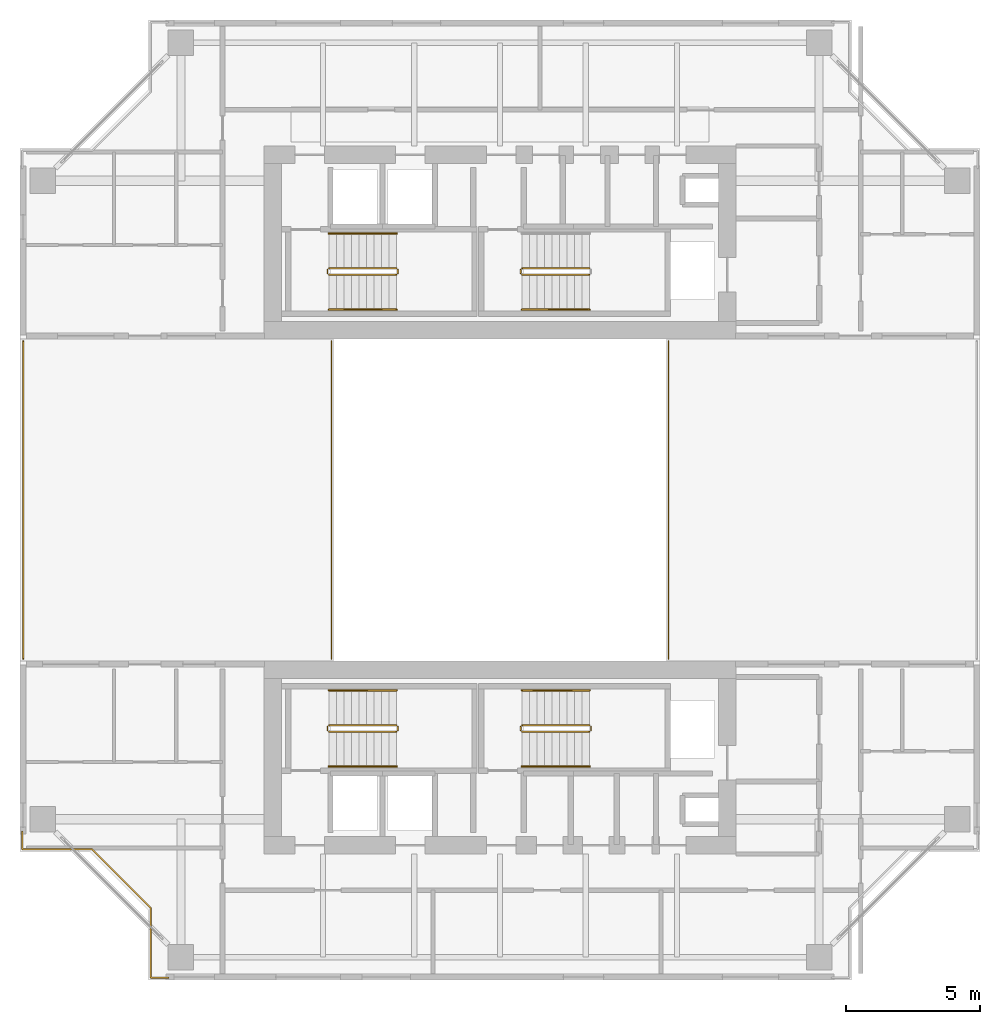
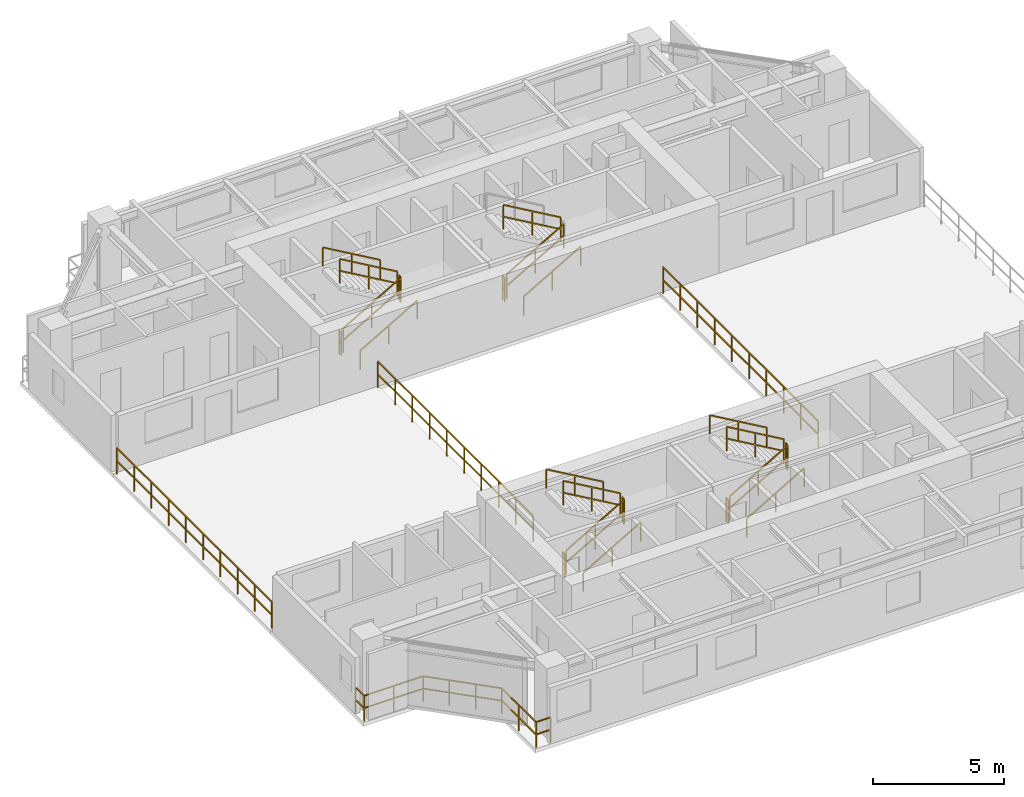
# One storey, part 12 of 14: 26 railings.
"""IFC4 building model written with IfcOpenShell, lengths in metres."""

from ifc_helpers import new_model, si_unit, direction, frame, origin, origin_2d, place, context, subcontext, project, spatial, rectangle, extrude, material, type_object, element, save


model = new_model("IFC4")

# Units and contexts
model_context = context("Model", 3, precision=1e-05, world=origin(), true_north=direction((0.0, 1.0)))
body_context = subcontext(model_context, "Body", "Model", "MODEL_VIEW")
ifc_project = project(units=[si_unit("LENGTHUNIT", "METRE"), si_unit("AREAUNIT", "SQUARE_METRE"), si_unit("VOLUMEUNIT", "CUBIC_METRE"), si_unit("PLANEANGLEUNIT", "RADIAN"), si_unit("MASSUNIT", "GRAM", prefix="KILO"), si_unit("THERMODYNAMICTEMPERATUREUNIT", "KELVIN"), si_unit("POWERUNIT", "WATT")], contexts=[model_context])

# Site, building, storey
site_placement = place(None, origin())
site = spatial("IfcSite", under=ifc_project, at=site_placement, CompositionType="ELEMENT")
building_placement = place(site_placement, origin())
building = spatial("IfcBuilding", under=site, at=building_placement, Name="Qiaomeng Ring Towers", CompositionType="ELEMENT")
storey_placement = place(building_placement, frame((0.0, 0.0, 153.5)))
storey = spatial("IfcBuildingStorey", under=building, at=storey_placement, Name="L44", CompositionType="ELEMENT", Elevation=153.5)

# Railings
ifc_material_1 = material(Name="Low-E pale-green laminated safety glass", Category="glass")
railing_type_1 = type_object("IfcRailingType", Name="ARC-RL-BAL1", PredefinedType="BALUSTRADE", material=ifc_material_1)
railing_1_placement = place(storey_placement, frame((1.179931640625, 10.6298828125, 0.0)))
element("IfcRailing", 1, at=railing_1_placement, inside=storey, type_object=railing_type_1, Name="L44 Balustrade ARC-BAL-NOTCH1-L44-SW", PredefinedType="BALUSTRADE", context=body_context, shape_type="SweptSolid", body=[
    extrude(rectangle(XDim=0.048095703125, YDim=0.048095703125, at=origin_2d()), frame((0.0, 0.0, 1.17578125), z_axis=(0.0, -1.0, 0.0), x_axis=(1.0, 0.0, 0.0)), (0.0, 0.0, 1.0), 0.64990234375),
    extrude(rectangle(XDim=0.048095703125, YDim=0.048095703125, at=origin_2d()), frame((0.0, 0.0, 0.60009765625), z_axis=(0.0, -1.0, 0.0), x_axis=(1.0, 0.0, 0.0)), (0.0, 0.0, 1.0), 0.64990234375),
    extrude(rectangle(XDim=0.048095703125, YDim=0.048095703125, at=origin_2d()), frame((0.0, -0.64990234375, 1.17578125), z_axis=(1.0, 0.0, 0.0), x_axis=(0.0, 1.0, 0.0)), (0.0, 0.0, 1.0), 2.60009765625),
    extrude(rectangle(XDim=0.048095703125, YDim=0.048095703125, at=origin_2d()), frame((0.0, -0.64990234375, 0.60009765625), z_axis=(1.0, 0.0, 0.0), x_axis=(0.0, 1.0, 0.0)), (0.0, 0.0, 1.0), 2.60009765625),
    extrude(rectangle(XDim=0.048095703125, YDim=0.048095703125, at=origin_2d()), frame((2.60009765625, -0.64990234375, 1.17578125), z_axis=(0.707106781187, -0.707106781187, 0.0), x_axis=(0.707106781187, 0.707106781187, 0.0)), (0.0, 0.0, 1.0), 3.111083984375),
    extrude(rectangle(XDim=0.048095703125, YDim=0.048095703125, at=origin_2d()), frame((2.60009765625, -0.64990234375, 0.60009765625), z_axis=(0.707106781187, -0.707106781187, 0.0), x_axis=(0.707106781187, 0.707106781187, 0.0)), (0.0, 0.0, 1.0), 3.111083984375),
    extrude(rectangle(XDim=0.048095703125, YDim=0.048095703125, at=origin_2d()), frame((4.800048828125, -2.849853515625, 1.17578125), z_axis=(0.0, -1.0, 0.0), x_axis=(1.0, 0.0, 0.0)), (0.0, 0.0, 1.0), 2.60009765625),
    extrude(rectangle(XDim=0.048095703125, YDim=0.048095703125, at=origin_2d()), frame((4.800048828125, -2.849853515625, 0.60009765625), z_axis=(0.0, -1.0, 0.0), x_axis=(1.0, 0.0, 0.0)), (0.0, 0.0, 1.0), 2.60009765625),
    extrude(rectangle(XDim=0.048095703125, YDim=0.048095703125, at=origin_2d()), frame((4.800048828125, -5.449951171875, 1.17578125), z_axis=(1.0, 0.0, 0.0), x_axis=(0.0, 1.0, 0.0)), (0.0, 0.0, 1.0), 0.64990234375),
    extrude(rectangle(XDim=0.048095703125, YDim=0.048095703125, at=origin_2d()), frame((4.800048828125, -5.449951171875, 0.60009765625), z_axis=(1.0, 0.0, 0.0), x_axis=(0.0, 1.0, 0.0)), (0.0, 0.0, 1.0), 0.64990234375),
    extrude(rectangle(XDim=0.0419921875, YDim=0.0419921875, at=origin_2d()), origin(), (0.0, 0.0, 1.0), 1.15185546875),
    extrude(rectangle(XDim=0.0419921875, YDim=0.0419921875, at=origin_2d()), frame((0.0, -0.64990234375, 0.0)), (0.0, 0.0, 1.0), 1.15185546875),
    extrude(rectangle(XDim=0.0419921875, YDim=0.0419921875, at=origin_2d()), frame((1.300048828125, -0.64990234375, 0.0)), (0.0, 0.0, 1.0), 1.15185546875),
    extrude(rectangle(XDim=0.0419921875, YDim=0.0419921875, at=origin_2d()), frame((2.60009765625, -0.64990234375, 0.0)), (0.0, 0.0, 1.0), 1.15185546875),
    extrude(rectangle(XDim=0.0419921875, YDim=0.0419921875, at=origin_2d()), frame((3.33349609375, -1.38330078125, 0.0)), (0.0, 0.0, 1.0), 1.15185546875),
    extrude(rectangle(XDim=0.0419921875, YDim=0.0419921875, at=origin_2d()), frame((4.066650390625, -2.116455078125, 0.0)), (0.0, 0.0, 1.0), 1.15185546875),
    extrude(rectangle(XDim=0.0419921875, YDim=0.0419921875, at=origin_2d()), frame((4.800048828125, -2.849853515625, 0.0)), (0.0, 0.0, 1.0), 1.15185546875),
    extrude(rectangle(XDim=0.0419921875, YDim=0.0419921875, at=origin_2d()), frame((4.800048828125, -4.14990234375, 0.0)), (0.0, 0.0, 1.0), 1.15185546875),
    extrude(rectangle(XDim=0.0419921875, YDim=0.0419921875, at=origin_2d()), frame((4.800048828125, -5.449951171875, 0.0)), (0.0, 0.0, 1.0), 1.15185546875),
    extrude(rectangle(XDim=0.0419921875, YDim=0.0419921875, at=origin_2d()), frame((5.449951171875, -5.449951171875, 0.0)), (0.0, 0.0, 1.0), 1.15185546875),
])
ifc_material_2 = material(Name="Stainless steel 316", Category="steel")
railing_type_2 = type_object("IfcRailingType", Name="ARC-RL-BAL2", PredefinedType="BALUSTRADE", material=ifc_material_2)
railing_2_placement = place(storey_placement, frame((1.219970703125, 17.080078125, 0.0)))
element("IfcRailing", 2, at=railing_2_placement, inside=storey, type_object=railing_type_2, Name="L44 Balustrade ARC-BAL-L44-PORTAL-W-OUT", PredefinedType="BALUSTRADE", context=body_context, shape_type="SweptSolid", body=[
    extrude(rectangle(XDim=0.048095703125, YDim=0.048095703125, at=origin_2d()), frame((0.0, 0.0, 1.22607421875), z_axis=(0.0, 1.0, 0.0), x_axis=(-1.0, 0.0, 0.0)), (0.0, 0.0, 1.0), 11.83984375),
    extrude(rectangle(XDim=0.048095703125, YDim=0.048095703125, at=origin_2d()), frame((0.0, 0.0, 0.625), z_axis=(0.0, 1.0, 0.0), x_axis=(-1.0, 0.0, 0.0)), (0.0, 0.0, 1.0), 11.83984375),
    extrude(rectangle(XDim=0.0419921875, YDim=0.0419921875, at=origin_2d()), origin(), (0.0, 0.0, 1.0), 1.201904296875),
    extrude(rectangle(XDim=0.0419921875, YDim=0.0419921875, at=origin_2d()), frame((0.0, 1.3154296875, 0.0)), (0.0, 0.0, 1.0), 1.201904296875),
    extrude(rectangle(XDim=0.0419921875, YDim=0.0419921875, at=origin_2d()), frame((0.0, 2.631103515625, 0.0)), (0.0, 0.0, 1.0), 1.201904296875),
    extrude(rectangle(XDim=0.0419921875, YDim=0.0419921875, at=origin_2d()), frame((0.0, 3.946533203125, 0.0)), (0.0, 0.0, 1.0), 1.201904296875),
    extrude(rectangle(XDim=0.0419921875, YDim=0.0419921875, at=origin_2d()), frame((0.0, 5.26220703125, 0.0)), (0.0, 0.0, 1.0), 1.201904296875),
    extrude(rectangle(XDim=0.0419921875, YDim=0.0419921875, at=origin_2d()), frame((0.0, 6.57763671875, 0.0)), (0.0, 0.0, 1.0), 1.201904296875),
    extrude(rectangle(XDim=0.0419921875, YDim=0.0419921875, at=origin_2d()), frame((0.0, 7.893310546875, 0.0)), (0.0, 0.0, 1.0), 1.201904296875),
    extrude(rectangle(XDim=0.0419921875, YDim=0.0419921875, at=origin_2d()), frame((0.0, 9.208740234375, 0.0)), (0.0, 0.0, 1.0), 1.201904296875),
    extrude(rectangle(XDim=0.0419921875, YDim=0.0419921875, at=origin_2d()), frame((0.0, 10.5244140625, 0.0)), (0.0, 0.0, 1.0), 1.201904296875),
    extrude(rectangle(XDim=0.0419921875, YDim=0.0419921875, at=origin_2d()), frame((0.0, 11.83984375, 0.0)), (0.0, 0.0, 1.0), 1.201904296875),
])
railing_3_placement = place(storey_placement, frame((12.719970703125, 17.080078125, 0.0)))
element("IfcRailing", 3, at=railing_3_placement, inside=storey, type_object=railing_type_2, Name="L44 Balustrade ARC-BAL-L44-PORTAL-W-IN", PredefinedType="BALUSTRADE", context=body_context, shape_type="SweptSolid", body=[
    extrude(rectangle(XDim=0.048095703125, YDim=0.048095703125, at=origin_2d()), frame((0.0, 0.0, 1.22607421875), z_axis=(0.0, 1.0, 0.0), x_axis=(-1.0, 0.0, 0.0)), (0.0, 0.0, 1.0), 11.83984375),
    extrude(rectangle(XDim=0.048095703125, YDim=0.048095703125, at=origin_2d()), frame((0.0, 0.0, 0.625), z_axis=(0.0, 1.0, 0.0), x_axis=(-1.0, 0.0, 0.0)), (0.0, 0.0, 1.0), 11.83984375),
    extrude(rectangle(XDim=0.0419921875, YDim=0.0419921875, at=origin_2d()), origin(), (0.0, 0.0, 1.0), 1.201904296875),
    extrude(rectangle(XDim=0.0419921875, YDim=0.0419921875, at=origin_2d()), frame((0.0, 1.3154296875, 0.0)), (0.0, 0.0, 1.0), 1.201904296875),
    extrude(rectangle(XDim=0.0419921875, YDim=0.0419921875, at=origin_2d()), frame((0.0, 2.631103515625, 0.0)), (0.0, 0.0, 1.0), 1.201904296875),
    extrude(rectangle(XDim=0.0419921875, YDim=0.0419921875, at=origin_2d()), frame((0.0, 3.946533203125, 0.0)), (0.0, 0.0, 1.0), 1.201904296875),
    extrude(rectangle(XDim=0.0419921875, YDim=0.0419921875, at=origin_2d()), frame((0.0, 5.26220703125, 0.0)), (0.0, 0.0, 1.0), 1.201904296875),
    extrude(rectangle(XDim=0.0419921875, YDim=0.0419921875, at=origin_2d()), frame((0.0, 6.57763671875, 0.0)), (0.0, 0.0, 1.0), 1.201904296875),
    extrude(rectangle(XDim=0.0419921875, YDim=0.0419921875, at=origin_2d()), frame((0.0, 7.893310546875, 0.0)), (0.0, 0.0, 1.0), 1.201904296875),
    extrude(rectangle(XDim=0.0419921875, YDim=0.0419921875, at=origin_2d()), frame((0.0, 9.208740234375, 0.0)), (0.0, 0.0, 1.0), 1.201904296875),
    extrude(rectangle(XDim=0.0419921875, YDim=0.0419921875, at=origin_2d()), frame((0.0, 10.5244140625, 0.0)), (0.0, 0.0, 1.0), 1.201904296875),
    extrude(rectangle(XDim=0.0419921875, YDim=0.0419921875, at=origin_2d()), frame((0.0, 11.83984375, 0.0)), (0.0, 0.0, 1.0), 1.201904296875),
])
railing_4_placement = place(storey_placement, frame((25.280029296875, 17.080078125, 0.0)))
element("IfcRailing", 4, at=railing_4_placement, inside=storey, type_object=railing_type_2, Name="L44 Balustrade ARC-BAL-L44-PORTAL-E-IN", PredefinedType="BALUSTRADE", context=body_context, shape_type="SweptSolid", body=[
    extrude(rectangle(XDim=0.048095703125, YDim=0.048095703125, at=origin_2d()), frame((0.0, 0.0, 1.22607421875), z_axis=(0.0, 1.0, 0.0), x_axis=(-1.0, 0.0, 0.0)), (0.0, 0.0, 1.0), 11.83984375),
    extrude(rectangle(XDim=0.048095703125, YDim=0.048095703125, at=origin_2d()), frame((0.0, 0.0, 0.625), z_axis=(0.0, 1.0, 0.0), x_axis=(-1.0, 0.0, 0.0)), (0.0, 0.0, 1.0), 11.83984375),
    extrude(rectangle(XDim=0.0419921875, YDim=0.0419921875, at=origin_2d()), origin(), (0.0, 0.0, 1.0), 1.201904296875),
    extrude(rectangle(XDim=0.0419921875, YDim=0.0419921875, at=origin_2d()), frame((0.0, 1.3154296875, 0.0)), (0.0, 0.0, 1.0), 1.201904296875),
    extrude(rectangle(XDim=0.0419921875, YDim=0.0419921875, at=origin_2d()), frame((0.0, 2.631103515625, 0.0)), (0.0, 0.0, 1.0), 1.201904296875),
    extrude(rectangle(XDim=0.0419921875, YDim=0.0419921875, at=origin_2d()), frame((0.0, 3.946533203125, 0.0)), (0.0, 0.0, 1.0), 1.201904296875),
    extrude(rectangle(XDim=0.0419921875, YDim=0.0419921875, at=origin_2d()), frame((0.0, 5.26220703125, 0.0)), (0.0, 0.0, 1.0), 1.201904296875),
    extrude(rectangle(XDim=0.0419921875, YDim=0.0419921875, at=origin_2d()), frame((0.0, 6.57763671875, 0.0)), (0.0, 0.0, 1.0), 1.201904296875),
    extrude(rectangle(XDim=0.0419921875, YDim=0.0419921875, at=origin_2d()), frame((0.0, 7.893310546875, 0.0)), (0.0, 0.0, 1.0), 1.201904296875),
    extrude(rectangle(XDim=0.0419921875, YDim=0.0419921875, at=origin_2d()), frame((0.0, 9.208740234375, 0.0)), (0.0, 0.0, 1.0), 1.201904296875),
    extrude(rectangle(XDim=0.0419921875, YDim=0.0419921875, at=origin_2d()), frame((0.0, 10.5244140625, 0.0)), (0.0, 0.0, 1.0), 1.201904296875),
    extrude(rectangle(XDim=0.0419921875, YDim=0.0419921875, at=origin_2d()), frame((0.0, 11.83984375, 0.0)), (0.0, 0.0, 1.0), 1.201904296875),
])
ifc_material_3 = material(Name="Galvanised steel", Category="steel")
railing_type_3 = type_object("IfcRailingType", Name="ARC-RL-GUARD", PredefinedType="GUARDRAIL", material=ifc_material_3)
railing_5_placement = place(storey_placement, frame((12.6201171875, 31.39990234375, 0.16259765625)))
element("IfcRailing", 5, at=railing_5_placement, inside=storey, type_object=railing_type_3, Name="L44 ST1 stair guard 1", PredefinedType="GUARDRAIL", context=body_context, shape_type="SweptSolid", body=[
    extrude(rectangle(XDim=0.048095703125, YDim=0.048095703125, at=origin_2d()), frame((0.0, 0.0, 1.1259765625), z_axis=(0.864892226395, 0.0, 0.501957604506), x_axis=(0.0, 1.0, 0.0)), (0.0, 0.0, 1.0), 2.913330078125),
    extrude(rectangle(XDim=0.048095703125, YDim=0.048095703125, at=origin_2d()), frame((0.0, 0.0, 0.574951171875), z_axis=(0.864892226395, 0.0, 0.501957604506), x_axis=(0.0, 1.0, 0.0)), (0.0, 0.0, 1.0), 2.913330078125),
    extrude(rectangle(XDim=0.0419921875, YDim=0.0419921875, at=origin_2d()), origin(), (0.0, 0.0, 1.0), 1.101806640625),
    extrude(rectangle(XDim=0.0419921875, YDim=0.0419921875, at=origin_2d()), frame((1.259765625, 0.0, 0.731201171875)), (0.0, 0.0, 1.0), 1.101806640625),
    extrude(rectangle(XDim=0.0419921875, YDim=0.0419921875, at=origin_2d()), frame((2.519775390625, 0.0, 1.46240234375)), (0.0, 0.0, 1.0), 1.101806640625),
])
railing_6_placement = place(storey_placement, frame((15.18994140625, 31.449951171875, 1.625)))
element("IfcRailing", 6, at=railing_6_placement, inside=storey, type_object=railing_type_3, Name="L44 ST1 stair guard 2", PredefinedType="GUARDRAIL", context=body_context, shape_type="SweptSolid", body=[
    extrude(rectangle(XDim=0.048095703125, YDim=0.048095703125, at=origin_2d()), frame((0.0, 0.0, 1.1259765625), z_axis=(0.0, 1.0, 0.0), x_axis=(-1.0, 0.0, 0.0)), (0.0, 0.0, 1.0), 0.14013671875),
    extrude(rectangle(XDim=0.048095703125, YDim=0.048095703125, at=origin_2d()), frame((0.0, 0.0, 0.574951171875), z_axis=(0.0, 1.0, 0.0), x_axis=(-1.0, 0.0, 0.0)), (0.0, 0.0, 1.0), 0.14013671875),
    extrude(rectangle(XDim=0.0419921875, YDim=0.0419921875, at=origin_2d()), origin(), (0.0, 0.0, 1.0), 1.101806640625),
    extrude(rectangle(XDim=0.0419921875, YDim=0.0419921875, at=origin_2d()), frame((0.0, 0.14013671875, 0.0)), (0.0, 0.0, 1.0), 1.101806640625),
])
railing_7_placement = place(storey_placement, frame((15.139892578125, 31.639892578125, 1.78759765625)))
element("IfcRailing", 7, at=railing_7_placement, inside=storey, type_object=railing_type_3, Name="L44 ST1 stair guard 3", PredefinedType="GUARDRAIL", context=body_context, shape_type="SweptSolid", body=[
    extrude(rectangle(XDim=0.048095703125, YDim=0.048095703125, at=origin_2d()), frame((0.0, 0.0, 1.1259765625), z_axis=(-0.864892226395, 0.0, 0.501957604506), x_axis=(0.0, -1.0, 0.0)), (0.0, 0.0, 1.0), 2.913330078125),
    extrude(rectangle(XDim=0.048095703125, YDim=0.048095703125, at=origin_2d()), frame((0.0, 0.0, 0.574951171875), z_axis=(-0.864892226395, 0.0, 0.501957604506), x_axis=(0.0, -1.0, 0.0)), (0.0, 0.0, 1.0), 2.913330078125),
    extrude(rectangle(XDim=0.0419921875, YDim=0.0419921875, at=origin_2d()), origin(), (0.0, 0.0, 1.0), 1.101806640625),
    extrude(rectangle(XDim=0.0419921875, YDim=0.0419921875, at=origin_2d()), frame((-1.259765625, 0.0, 0.731201171875)), (0.0, 0.0, 1.0), 1.101806640625),
    extrude(rectangle(XDim=0.0419921875, YDim=0.0419921875, at=origin_2d()), frame((-2.519775390625, 0.0, 1.46240234375)), (0.0, 0.0, 1.0), 1.101806640625),
])
railing_8_placement = place(storey_placement, frame((12.570068359375, 31.449951171875, 0.0)))
element("IfcRailing", 8, at=railing_8_placement, inside=storey, type_object=railing_type_3, Name="L44 ST1 stair guard 4", PredefinedType="GUARDRAIL", context=body_context, shape_type="SweptSolid", body=[
    extrude(rectangle(XDim=0.048095703125, YDim=0.048095703125, at=origin_2d()), frame((0.0, 0.0, 1.1259765625), z_axis=(0.0, 1.0, 0.0), x_axis=(-1.0, 0.0, 0.0)), (0.0, 0.0, 1.0), 0.14013671875),
    extrude(rectangle(XDim=0.048095703125, YDim=0.048095703125, at=origin_2d()), frame((0.0, 0.0, 0.574951171875), z_axis=(0.0, 1.0, 0.0), x_axis=(-1.0, 0.0, 0.0)), (0.0, 0.0, 1.0), 0.14013671875),
    extrude(rectangle(XDim=0.0419921875, YDim=0.0419921875, at=origin_2d()), origin(), (0.0, 0.0, 1.0), 1.101806640625),
    extrude(rectangle(XDim=0.0419921875, YDim=0.0419921875, at=origin_2d()), frame((0.0, 0.14013671875, 0.0)), (0.0, 0.0, 1.0), 1.101806640625),
])
railing_9_placement = place(storey_placement, frame((19.820068359375, 31.39990234375, 0.16259765625)))
element("IfcRailing", 9, at=railing_9_placement, inside=storey, type_object=railing_type_3, Name="L44 ST2 stair guard 1", PredefinedType="GUARDRAIL", context=body_context, shape_type="SweptSolid", body=[
    extrude(rectangle(XDim=0.048095703125, YDim=0.048095703125, at=origin_2d()), frame((0.0, 0.0, 1.1259765625), z_axis=(0.864913338283, 0.0, 0.50192122615), x_axis=(0.0, 1.0, 0.0)), (0.0, 0.0, 1.0), 2.91357421875),
    extrude(rectangle(XDim=0.048095703125, YDim=0.048095703125, at=origin_2d()), frame((0.0, 0.0, 0.574951171875), z_axis=(0.864913338283, 0.0, 0.50192122615), x_axis=(0.0, 1.0, 0.0)), (0.0, 0.0, 1.0), 2.91357421875),
    extrude(rectangle(XDim=0.0419921875, YDim=0.0419921875, at=origin_2d()), origin(), (0.0, 0.0, 1.0), 1.101806640625),
    extrude(rectangle(XDim=0.0419921875, YDim=0.0419921875, at=origin_2d()), frame((1.260009765625, 0.0, 0.731201171875)), (0.0, 0.0, 1.0), 1.101806640625),
    extrude(rectangle(XDim=0.0419921875, YDim=0.0419921875, at=origin_2d()), frame((2.52001953125, 0.0, 1.46240234375)), (0.0, 0.0, 1.0), 1.101806640625),
])
railing_10_placement = place(storey_placement, frame((22.340087890625, 31.639892578125, 1.78759765625)))
element("IfcRailing", 10, at=railing_10_placement, inside=storey, type_object=railing_type_3, Name="L44 ST2 stair guard 3", PredefinedType="GUARDRAIL", context=body_context, shape_type="SweptSolid", body=[
    extrude(rectangle(XDim=0.048095703125, YDim=0.048095703125, at=origin_2d()), frame((0.0, 0.0, 1.1259765625), z_axis=(-0.864913338283, 0.0, 0.50192122615), x_axis=(0.0, -1.0, 0.0)), (0.0, 0.0, 1.0), 2.91357421875),
    extrude(rectangle(XDim=0.048095703125, YDim=0.048095703125, at=origin_2d()), frame((0.0, 0.0, 0.574951171875), z_axis=(-0.864913338283, 0.0, 0.50192122615), x_axis=(0.0, -1.0, 0.0)), (0.0, 0.0, 1.0), 2.91357421875),
    extrude(rectangle(XDim=0.0419921875, YDim=0.0419921875, at=origin_2d()), origin(), (0.0, 0.0, 1.0), 1.101806640625),
    extrude(rectangle(XDim=0.0419921875, YDim=0.0419921875, at=origin_2d()), frame((-1.260009765625, 0.0, 0.731201171875)), (0.0, 0.0, 1.0), 1.101806640625),
    extrude(rectangle(XDim=0.0419921875, YDim=0.0419921875, at=origin_2d()), frame((-2.52001953125, 0.0, 1.46240234375)), (0.0, 0.0, 1.0), 1.101806640625),
])
railing_11_placement = place(storey_placement, frame((19.77001953125, 31.449951171875, 0.0)))
element("IfcRailing", 11, at=railing_11_placement, inside=storey, type_object=railing_type_3, Name="L44 ST2 stair guard 4", PredefinedType="GUARDRAIL", context=body_context, shape_type="SweptSolid", body=[
    extrude(rectangle(XDim=0.048095703125, YDim=0.048095703125, at=origin_2d()), frame((0.0, 0.0, 1.1259765625), z_axis=(0.0, 1.0, 0.0), x_axis=(-1.0, 0.0, 0.0)), (0.0, 0.0, 1.0), 0.14013671875),
    extrude(rectangle(XDim=0.048095703125, YDim=0.048095703125, at=origin_2d()), frame((0.0, 0.0, 0.574951171875), z_axis=(0.0, 1.0, 0.0), x_axis=(-1.0, 0.0, 0.0)), (0.0, 0.0, 1.0), 0.14013671875),
    extrude(rectangle(XDim=0.0419921875, YDim=0.0419921875, at=origin_2d()), origin(), (0.0, 0.0, 1.0), 1.101806640625),
    extrude(rectangle(XDim=0.0419921875, YDim=0.0419921875, at=origin_2d()), frame((0.0, 0.14013671875, 0.0)), (0.0, 0.0, 1.0), 1.101806640625),
])
railing_12_placement = place(storey_placement, frame((12.6201171875, 14.360107421875, 0.16259765625)))
element("IfcRailing", 12, at=railing_12_placement, inside=storey, type_object=railing_type_3, Name="L44 ST3 stair guard 1", PredefinedType="GUARDRAIL", context=body_context, shape_type="SweptSolid", body=[
    extrude(rectangle(XDim=0.048095703125, YDim=0.048095703125, at=origin_2d()), frame((0.0, 0.0, 1.1259765625), z_axis=(0.864892226395, 0.0, 0.501957604506), x_axis=(0.0, 1.0, 0.0)), (0.0, 0.0, 1.0), 2.913330078125),
    extrude(rectangle(XDim=0.048095703125, YDim=0.048095703125, at=origin_2d()), frame((0.0, 0.0, 0.574951171875), z_axis=(0.864892226395, 0.0, 0.501957604506), x_axis=(0.0, 1.0, 0.0)), (0.0, 0.0, 1.0), 2.913330078125),
    extrude(rectangle(XDim=0.0419921875, YDim=0.0419921875, at=origin_2d()), origin(), (0.0, 0.0, 1.0), 1.101806640625),
    extrude(rectangle(XDim=0.0419921875, YDim=0.0419921875, at=origin_2d()), frame((1.259765625, 0.0, 0.731201171875)), (0.0, 0.0, 1.0), 1.101806640625),
    extrude(rectangle(XDim=0.0419921875, YDim=0.0419921875, at=origin_2d()), frame((2.519775390625, 0.0, 1.46240234375)), (0.0, 0.0, 1.0), 1.101806640625),
])
railing_13_placement = place(storey_placement, frame((15.18994140625, 14.409912109375, 1.625)))
element("IfcRailing", 13, at=railing_13_placement, inside=storey, type_object=railing_type_3, Name="L44 ST3 stair guard 2", PredefinedType="GUARDRAIL", context=body_context, shape_type="SweptSolid", body=[
    extrude(rectangle(XDim=0.048095703125, YDim=0.048095703125, at=origin_2d()), frame((0.0, 0.0, 1.1259765625), z_axis=(0.0, 1.0, 0.0), x_axis=(-1.0, 0.0, 0.0)), (0.0, 0.0, 1.0), 0.14013671875),
    extrude(rectangle(XDim=0.048095703125, YDim=0.048095703125, at=origin_2d()), frame((0.0, 0.0, 0.574951171875), z_axis=(0.0, 1.0, 0.0), x_axis=(-1.0, 0.0, 0.0)), (0.0, 0.0, 1.0), 0.14013671875),
    extrude(rectangle(XDim=0.0419921875, YDim=0.0419921875, at=origin_2d()), origin(), (0.0, 0.0, 1.0), 1.101806640625),
    extrude(rectangle(XDim=0.0419921875, YDim=0.0419921875, at=origin_2d()), frame((0.0, 0.14013671875, 0.0)), (0.0, 0.0, 1.0), 1.101806640625),
])
railing_14_placement = place(storey_placement, frame((15.139892578125, 14.60009765625, 1.78759765625)))
element("IfcRailing", 14, at=railing_14_placement, inside=storey, type_object=railing_type_3, Name="L44 ST3 stair guard 3", PredefinedType="GUARDRAIL", context=body_context, shape_type="SweptSolid", body=[
    extrude(rectangle(XDim=0.048095703125, YDim=0.048095703125, at=origin_2d()), frame((0.0, 0.0, 1.1259765625), z_axis=(-0.864892226395, 0.0, 0.501957604506), x_axis=(0.0, -1.0, 0.0)), (0.0, 0.0, 1.0), 2.913330078125),
    extrude(rectangle(XDim=0.048095703125, YDim=0.048095703125, at=origin_2d()), frame((0.0, 0.0, 0.574951171875), z_axis=(-0.864892226395, 0.0, 0.501957604506), x_axis=(0.0, -1.0, 0.0)), (0.0, 0.0, 1.0), 2.913330078125),
    extrude(rectangle(XDim=0.0419921875, YDim=0.0419921875, at=origin_2d()), origin(), (0.0, 0.0, 1.0), 1.101806640625),
    extrude(rectangle(XDim=0.0419921875, YDim=0.0419921875, at=origin_2d()), frame((-1.259765625, 0.0, 0.731201171875)), (0.0, 0.0, 1.0), 1.101806640625),
    extrude(rectangle(XDim=0.0419921875, YDim=0.0419921875, at=origin_2d()), frame((-2.519775390625, 0.0, 1.46240234375)), (0.0, 0.0, 1.0), 1.101806640625),
])
railing_15_placement = place(storey_placement, frame((12.570068359375, 14.409912109375, 0.0)))
element("IfcRailing", 15, at=railing_15_placement, inside=storey, type_object=railing_type_3, Name="L44 ST3 stair guard 4", PredefinedType="GUARDRAIL", context=body_context, shape_type="SweptSolid", body=[
    extrude(rectangle(XDim=0.048095703125, YDim=0.048095703125, at=origin_2d()), frame((0.0, 0.0, 1.1259765625), z_axis=(0.0, 1.0, 0.0), x_axis=(-1.0, 0.0, 0.0)), (0.0, 0.0, 1.0), 0.14013671875),
    extrude(rectangle(XDim=0.048095703125, YDim=0.048095703125, at=origin_2d()), frame((0.0, 0.0, 0.574951171875), z_axis=(0.0, 1.0, 0.0), x_axis=(-1.0, 0.0, 0.0)), (0.0, 0.0, 1.0), 0.14013671875),
    extrude(rectangle(XDim=0.0419921875, YDim=0.0419921875, at=origin_2d()), origin(), (0.0, 0.0, 1.0), 1.101806640625),
    extrude(rectangle(XDim=0.0419921875, YDim=0.0419921875, at=origin_2d()), frame((0.0, 0.14013671875, 0.0)), (0.0, 0.0, 1.0), 1.101806640625),
])
railing_16_placement = place(storey_placement, frame((19.820068359375, 14.360107421875, 0.16259765625)))
element("IfcRailing", 16, at=railing_16_placement, inside=storey, type_object=railing_type_3, Name="L44 ST4 stair guard 1", PredefinedType="GUARDRAIL", context=body_context, shape_type="SweptSolid", body=[
    extrude(rectangle(XDim=0.048095703125, YDim=0.048095703125, at=origin_2d()), frame((0.0, 0.0, 1.1259765625), z_axis=(0.864913338283, 0.0, 0.50192122615), x_axis=(0.0, 1.0, 0.0)), (0.0, 0.0, 1.0), 2.91357421875),
    extrude(rectangle(XDim=0.048095703125, YDim=0.048095703125, at=origin_2d()), frame((0.0, 0.0, 0.574951171875), z_axis=(0.864913338283, 0.0, 0.50192122615), x_axis=(0.0, 1.0, 0.0)), (0.0, 0.0, 1.0), 2.91357421875),
    extrude(rectangle(XDim=0.0419921875, YDim=0.0419921875, at=origin_2d()), origin(), (0.0, 0.0, 1.0), 1.101806640625),
    extrude(rectangle(XDim=0.0419921875, YDim=0.0419921875, at=origin_2d()), frame((1.260009765625, 0.0, 0.731201171875)), (0.0, 0.0, 1.0), 1.101806640625),
    extrude(rectangle(XDim=0.0419921875, YDim=0.0419921875, at=origin_2d()), frame((2.52001953125, 0.0, 1.46240234375)), (0.0, 0.0, 1.0), 1.101806640625),
])
railing_17_placement = place(storey_placement, frame((22.389892578125, 14.409912109375, 1.625)))
element("IfcRailing", 17, at=railing_17_placement, inside=storey, type_object=railing_type_3, Name="L44 ST4 stair guard 2", PredefinedType="GUARDRAIL", context=body_context, shape_type="SweptSolid", body=[
    extrude(rectangle(XDim=0.048095703125, YDim=0.048095703125, at=origin_2d()), frame((0.0, 0.0, 1.1259765625), z_axis=(0.0, 1.0, 0.0), x_axis=(-1.0, 0.0, 0.0)), (0.0, 0.0, 1.0), 0.14013671875),
    extrude(rectangle(XDim=0.048095703125, YDim=0.048095703125, at=origin_2d()), frame((0.0, 0.0, 0.574951171875), z_axis=(0.0, 1.0, 0.0), x_axis=(-1.0, 0.0, 0.0)), (0.0, 0.0, 1.0), 0.14013671875),
    extrude(rectangle(XDim=0.0419921875, YDim=0.0419921875, at=origin_2d()), origin(), (0.0, 0.0, 1.0), 1.101806640625),
    extrude(rectangle(XDim=0.0419921875, YDim=0.0419921875, at=origin_2d()), frame((0.0, 0.14013671875, 0.0)), (0.0, 0.0, 1.0), 1.101806640625),
])
railing_18_placement = place(storey_placement, frame((22.340087890625, 14.60009765625, 1.78759765625)))
element("IfcRailing", 18, at=railing_18_placement, inside=storey, type_object=railing_type_3, Name="L44 ST4 stair guard 3", PredefinedType="GUARDRAIL", context=body_context, shape_type="SweptSolid", body=[
    extrude(rectangle(XDim=0.048095703125, YDim=0.048095703125, at=origin_2d()), frame((0.0, 0.0, 1.1259765625), z_axis=(-0.864913338283, 0.0, 0.50192122615), x_axis=(0.0, -1.0, 0.0)), (0.0, 0.0, 1.0), 2.91357421875),
    extrude(rectangle(XDim=0.048095703125, YDim=0.048095703125, at=origin_2d()), frame((0.0, 0.0, 0.574951171875), z_axis=(-0.864913338283, 0.0, 0.50192122615), x_axis=(0.0, -1.0, 0.0)), (0.0, 0.0, 1.0), 2.91357421875),
    extrude(rectangle(XDim=0.0419921875, YDim=0.0419921875, at=origin_2d()), origin(), (0.0, 0.0, 1.0), 1.101806640625),
    extrude(rectangle(XDim=0.0419921875, YDim=0.0419921875, at=origin_2d()), frame((-1.260009765625, 0.0, 0.731201171875)), (0.0, 0.0, 1.0), 1.101806640625),
    extrude(rectangle(XDim=0.0419921875, YDim=0.0419921875, at=origin_2d()), frame((-2.52001953125, 0.0, 1.46240234375)), (0.0, 0.0, 1.0), 1.101806640625),
])
railing_19_placement = place(storey_placement, frame((19.77001953125, 14.409912109375, 0.0)))
element("IfcRailing", 19, at=railing_19_placement, inside=storey, type_object=railing_type_3, Name="L44 ST4 stair guard 4", PredefinedType="GUARDRAIL", context=body_context, shape_type="SweptSolid", body=[
    extrude(rectangle(XDim=0.048095703125, YDim=0.048095703125, at=origin_2d()), frame((0.0, 0.0, 1.1259765625), z_axis=(0.0, 1.0, 0.0), x_axis=(-1.0, 0.0, 0.0)), (0.0, 0.0, 1.0), 0.14013671875),
    extrude(rectangle(XDim=0.048095703125, YDim=0.048095703125, at=origin_2d()), frame((0.0, 0.0, 0.574951171875), z_axis=(0.0, 1.0, 0.0), x_axis=(-1.0, 0.0, 0.0)), (0.0, 0.0, 1.0), 0.14013671875),
    extrude(rectangle(XDim=0.0419921875, YDim=0.0419921875, at=origin_2d()), origin(), (0.0, 0.0, 1.0), 1.101806640625),
    extrude(rectangle(XDim=0.0419921875, YDim=0.0419921875, at=origin_2d()), frame((0.0, 0.14013671875, 0.0)), (0.0, 0.0, 1.0), 1.101806640625),
])
railing_type_4 = type_object("IfcRailingType", Name="ARC-RL-HAND", PredefinedType="HANDRAIL", material=ifc_material_2)
railing_20_placement = place(storey_placement, frame((12.6201171875, 30.10009765625, 0.16259765625)))
element("IfcRailing", 20, at=railing_20_placement, inside=storey, type_object=railing_type_4, Name="L44 ST1 stair handrail 1", PredefinedType="HANDRAIL", context=body_context, shape_type="SweptSolid", body=[
    extrude(rectangle(XDim=0.048095703125, YDim=0.048095703125, at=origin_2d()), frame((0.0, 0.0, 0.8759765625), z_axis=(0.864892226395, 0.0, 0.501957604506), x_axis=(0.0, 1.0, 0.0)), (0.0, 0.0, 1.0), 2.913330078125),
    extrude(rectangle(XDim=0.0419921875, YDim=0.0419921875, at=origin_2d()), origin(), (0.0, 0.0, 1.0), 0.851806640625),
    extrude(rectangle(XDim=0.0419921875, YDim=0.0419921875, at=origin_2d()), frame((1.259765625, 0.0, 0.731201171875)), (0.0, 0.0, 1.0), 0.851806640625),
    extrude(rectangle(XDim=0.0419921875, YDim=0.0419921875, at=origin_2d()), frame((2.519775390625, 0.0, 1.46240234375)), (0.0, 0.0, 1.0), 0.851806640625),
])
railing_21_placement = place(storey_placement, frame((15.139892578125, 32.93994140625, 1.78759765625)))
element("IfcRailing", 21, at=railing_21_placement, inside=storey, type_object=railing_type_4, Name="L44 ST1 stair handrail 2", PredefinedType="HANDRAIL", context=body_context, shape_type="SweptSolid", body=[
    extrude(rectangle(XDim=0.048095703125, YDim=0.048095703125, at=origin_2d()), frame((0.0, 0.0, 0.8759765625), z_axis=(-0.864892226395, 0.0, 0.501957604506), x_axis=(0.0, -1.0, 0.0)), (0.0, 0.0, 1.0), 2.913330078125),
    extrude(rectangle(XDim=0.0419921875, YDim=0.0419921875, at=origin_2d()), origin(), (0.0, 0.0, 1.0), 0.851806640625),
    extrude(rectangle(XDim=0.0419921875, YDim=0.0419921875, at=origin_2d()), frame((-1.259765625, 0.0, 0.731201171875)), (0.0, 0.0, 1.0), 0.851806640625),
    extrude(rectangle(XDim=0.0419921875, YDim=0.0419921875, at=origin_2d()), frame((-2.519775390625, 0.0, 1.46240234375)), (0.0, 0.0, 1.0), 0.851806640625),
])
railing_22_placement = place(storey_placement, frame((19.820068359375, 30.10009765625, 0.16259765625)))
element("IfcRailing", 22, at=railing_22_placement, inside=storey, type_object=railing_type_4, Name="L44 ST2 stair handrail 1", PredefinedType="HANDRAIL", context=body_context, shape_type="SweptSolid", body=[
    extrude(rectangle(XDim=0.048095703125, YDim=0.048095703125, at=origin_2d()), frame((0.0, 0.0, 0.8759765625), z_axis=(0.864913338283, 0.0, 0.50192122615), x_axis=(0.0, 1.0, 0.0)), (0.0, 0.0, 1.0), 2.91357421875),
    extrude(rectangle(XDim=0.0419921875, YDim=0.0419921875, at=origin_2d()), origin(), (0.0, 0.0, 1.0), 0.851806640625),
    extrude(rectangle(XDim=0.0419921875, YDim=0.0419921875, at=origin_2d()), frame((1.260009765625, 0.0, 0.731201171875)), (0.0, 0.0, 1.0), 0.851806640625),
    extrude(rectangle(XDim=0.0419921875, YDim=0.0419921875, at=origin_2d()), frame((2.52001953125, 0.0, 1.46240234375)), (0.0, 0.0, 1.0), 0.851806640625),
])
railing_23_placement = place(storey_placement, frame((12.6201171875, 13.06005859375, 0.16259765625)))
element("IfcRailing", 23, at=railing_23_placement, inside=storey, type_object=railing_type_4, Name="L44 ST3 stair handrail 1", PredefinedType="HANDRAIL", context=body_context, shape_type="SweptSolid", body=[
    extrude(rectangle(XDim=0.048095703125, YDim=0.048095703125, at=origin_2d()), frame((0.0, 0.0, 0.8759765625), z_axis=(0.864892226395, 0.0, 0.501957604506), x_axis=(0.0, 1.0, 0.0)), (0.0, 0.0, 1.0), 2.913330078125),
    extrude(rectangle(XDim=0.0419921875, YDim=0.0419921875, at=origin_2d()), origin(), (0.0, 0.0, 1.0), 0.851806640625),
    extrude(rectangle(XDim=0.0419921875, YDim=0.0419921875, at=origin_2d()), frame((1.259765625, 0.0, 0.731201171875)), (0.0, 0.0, 1.0), 0.851806640625),
    extrude(rectangle(XDim=0.0419921875, YDim=0.0419921875, at=origin_2d()), frame((2.519775390625, 0.0, 1.46240234375)), (0.0, 0.0, 1.0), 0.851806640625),
])
railing_24_placement = place(storey_placement, frame((15.139892578125, 15.89990234375, 1.78759765625)))
element("IfcRailing", 24, at=railing_24_placement, inside=storey, type_object=railing_type_4, Name="L44 ST3 stair handrail 2", PredefinedType="HANDRAIL", context=body_context, shape_type="SweptSolid", body=[
    extrude(rectangle(XDim=0.048095703125, YDim=0.048095703125, at=origin_2d()), frame((0.0, 0.0, 0.8759765625), z_axis=(-0.864892226395, 0.0, 0.501957604506), x_axis=(0.0, -1.0, 0.0)), (0.0, 0.0, 1.0), 2.913330078125),
    extrude(rectangle(XDim=0.0419921875, YDim=0.0419921875, at=origin_2d()), origin(), (0.0, 0.0, 1.0), 0.851806640625),
    extrude(rectangle(XDim=0.0419921875, YDim=0.0419921875, at=origin_2d()), frame((-1.259765625, 0.0, 0.731201171875)), (0.0, 0.0, 1.0), 0.851806640625),
    extrude(rectangle(XDim=0.0419921875, YDim=0.0419921875, at=origin_2d()), frame((-2.519775390625, 0.0, 1.46240234375)), (0.0, 0.0, 1.0), 0.851806640625),
])
railing_25_placement = place(storey_placement, frame((19.820068359375, 13.06005859375, 0.16259765625)))
element("IfcRailing", 25, at=railing_25_placement, inside=storey, type_object=railing_type_4, Name="L44 ST4 stair handrail 1", PredefinedType="HANDRAIL", context=body_context, shape_type="SweptSolid", body=[
    extrude(rectangle(XDim=0.048095703125, YDim=0.048095703125, at=origin_2d()), frame((0.0, 0.0, 0.8759765625), z_axis=(0.864913338283, 0.0, 0.50192122615), x_axis=(0.0, 1.0, 0.0)), (0.0, 0.0, 1.0), 2.91357421875),
    extrude(rectangle(XDim=0.0419921875, YDim=0.0419921875, at=origin_2d()), origin(), (0.0, 0.0, 1.0), 0.851806640625),
    extrude(rectangle(XDim=0.0419921875, YDim=0.0419921875, at=origin_2d()), frame((1.260009765625, 0.0, 0.731201171875)), (0.0, 0.0, 1.0), 0.851806640625),
    extrude(rectangle(XDim=0.0419921875, YDim=0.0419921875, at=origin_2d()), frame((2.52001953125, 0.0, 1.46240234375)), (0.0, 0.0, 1.0), 0.851806640625),
])
railing_26_placement = place(storey_placement, frame((22.340087890625, 15.89990234375, 1.78759765625)))
element("IfcRailing", 26, at=railing_26_placement, inside=storey, type_object=railing_type_4, Name="L44 ST4 stair handrail 2", PredefinedType="HANDRAIL", context=body_context, shape_type="SweptSolid", body=[
    extrude(rectangle(XDim=0.048095703125, YDim=0.048095703125, at=origin_2d()), frame((0.0, 0.0, 0.8759765625), z_axis=(-0.864913338283, 0.0, 0.50192122615), x_axis=(0.0, -1.0, 0.0)), (0.0, 0.0, 1.0), 2.91357421875),
    extrude(rectangle(XDim=0.0419921875, YDim=0.0419921875, at=origin_2d()), origin(), (0.0, 0.0, 1.0), 0.851806640625),
    extrude(rectangle(XDim=0.0419921875, YDim=0.0419921875, at=origin_2d()), frame((-1.260009765625, 0.0, 0.731201171875)), (0.0, 0.0, 1.0), 0.851806640625),
    extrude(rectangle(XDim=0.0419921875, YDim=0.0419921875, at=origin_2d()), frame((-2.52001953125, 0.0, 1.46240234375)), (0.0, 0.0, 1.0), 0.851806640625),
])

save(model, "model.ifc")
